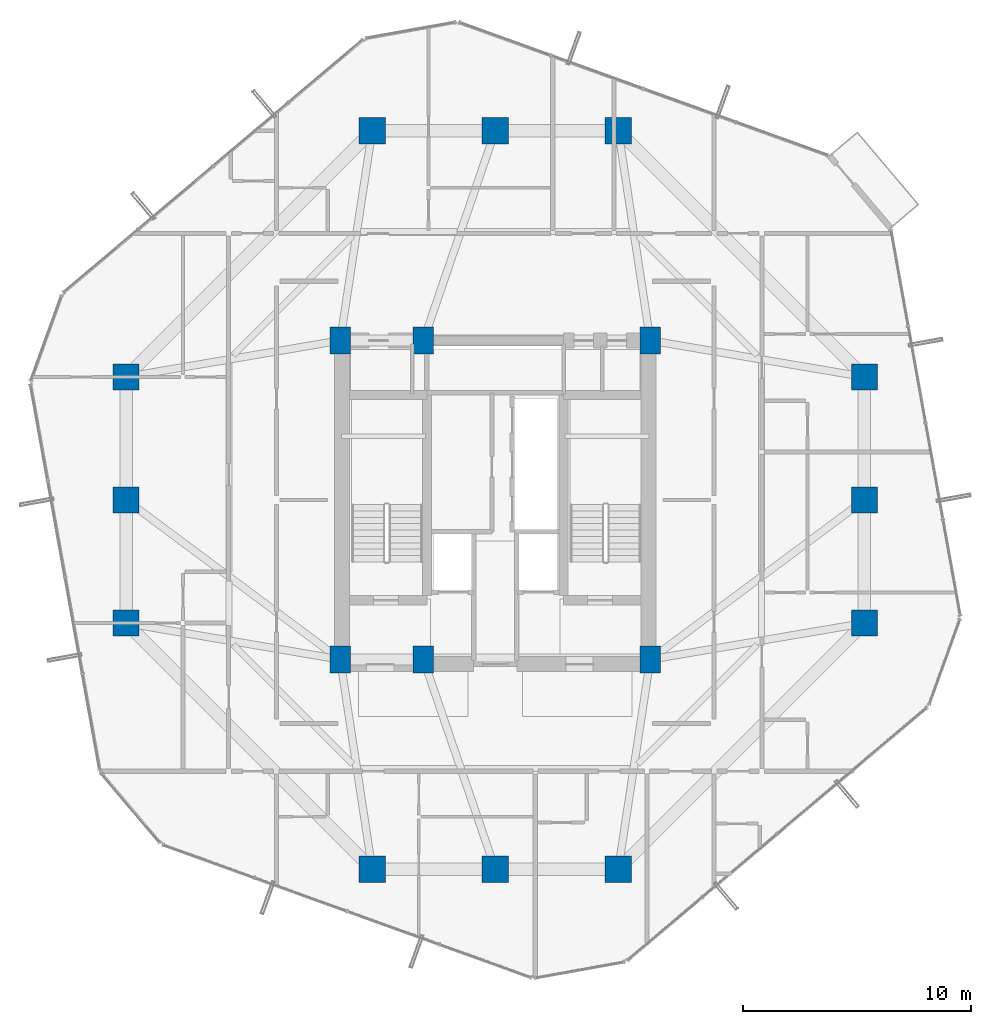
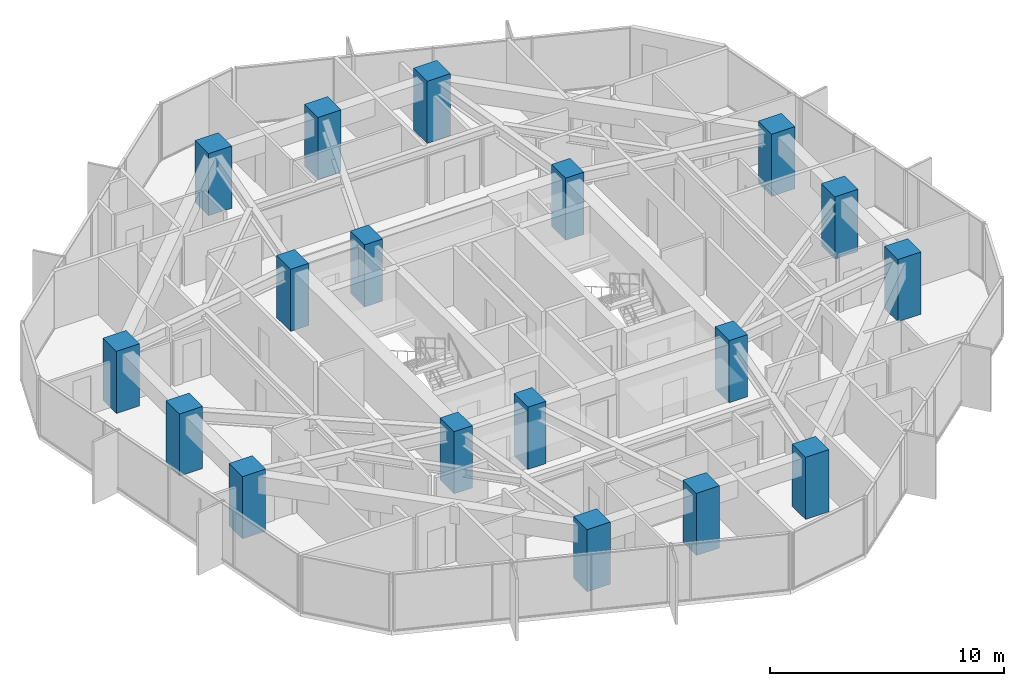
# One storey, part 1 of 36: 18 columns.
"""IFC4 building model written with IfcOpenShell, lengths in metres."""

from ifc_helpers import new_model, si_unit, direction, frame, origin, origin_2d, place, context, subcontext, project, spatial, rectangle, extrude, material, material_profile, profile_set, type_object, element, save


model = new_model("IFC4")

# Units and contexts
model_context = context("Model", 3, precision=1e-05, world=origin(), true_north=direction((0.0, 1.0)))
body_context = subcontext(model_context, "Body", "Model", "MODEL_VIEW")
ifc_project = project(units=[si_unit("LENGTHUNIT", "METRE"), si_unit("AREAUNIT", "SQUARE_METRE"), si_unit("VOLUMEUNIT", "CUBIC_METRE"), si_unit("PLANEANGLEUNIT", "RADIAN"), si_unit("MASSUNIT", "GRAM", prefix="KILO")], contexts=[model_context])

# Site, building, storey
site_placement = place(None, origin())
site = spatial("IfcSite", under=ifc_project, at=site_placement, CompositionType="ELEMENT")
building_placement = place(site_placement, origin())
building = spatial("IfcBuilding", under=site, at=building_placement, Name="Veraguas Prism Commons", CompositionType="ELEMENT")
storey_placement = place(building_placement, frame((0.0, 0.0, 163.050048828125)))
storey = spatial("IfcBuildingStorey", under=building, at=storey_placement, Name="L46", CompositionType="ELEMENT", Elevation=163.050048828125)

# Columns
ifc_material = material(Name="Concrete C60/75", Category="concrete")
ifc_material_profile_1 = material_profile(ifc_material, rectangle(XDim=1.14990234375, YDim=1.14990234375, at=origin_2d()), Name="RC1150X1150")
ifc_profile_set_1 = profile_set([ifc_material_profile_1], Name="Concrete C60/75")
column_type_1 = type_object("IfcColumnType", Name="Column Tube Z2 RC 1150x1150", PredefinedType="COLUMN", material=ifc_profile_set_1)
for number, where, z_axis, x_axis, name in (
    (1, (40.199951171875, 18.60009765625, 0.0), (0.0, 0.0, 1.0), (1.0, 0.0, 0.0), "Tower Perimeter Column L46-TB01"),
    (2, (40.199951171875, 24.0, 0.0), (0.0, 0.0, 1.0), (1.0, 0.0, 0.0), "Tower Perimeter Column L46-TB02"),
    (3, (40.199951171875, 29.39990234375, 0.0), (0.0, 0.0, 1.0), (1.0, 0.0, 0.0), "Tower Perimeter Column L46-TB03"),
    (4, (29.39990234375, 40.199951171875, 0.0), (0.0, 0.0, 1.0), (1.0, 0.0, 0.0), "Tower Perimeter Column L46-TB04"),
    (5, (24.0, 40.199951171875, 0.0), (0.0, 0.0, 1.0), (1.0, 0.0, 0.0), "Tower Perimeter Column L46-TB05"),
    (6, (18.60009765625, 40.199951171875, 0.0), (0.0, 0.0, 1.0), (1.0, 0.0, 0.0), "Tower Perimeter Column L46-TB06"),
    (7, (7.800048828125, 29.39990234375, 0.0), (0.0, 0.0, 1.0), (1.0, 0.0, 0.0), "Tower Perimeter Column L46-TB07"),
    (8, (7.800048828125, 24.0, 0.0), (0.0, 0.0, 1.0), (1.0, 0.0, 0.0), "Tower Perimeter Column L46-TB08"),
    (9, (7.800048828125, 18.60009765625, 0.0), (0.0, 0.0, 1.0), (1.0, 0.0, 0.0), "Tower Perimeter Column L46-TB09"),
    (10, (18.60009765625, 7.800048828125, 0.0), (0.0, 0.0, 1.0), (1.0, 0.0, 0.0), "Tower Perimeter Column L46-TB10"),
    (11, (24.0, 7.800048828125, 0.0), (0.0, 0.0, 1.0), (1.0, 0.0, 0.0), "Tower Perimeter Column L46-TB11"),
    (12, (29.39990234375, 7.800048828125, 0.0), (0.0, 0.0, 1.0), (1.0, 0.0, 0.0), "Tower Perimeter Column L46-TB12"),
):
    element("IfcColumn", number, at=place(storey_placement, frame(where, z_axis=z_axis, x_axis=x_axis)), inside=storey, type_object=column_type_1, Name=name, PredefinedType="COLUMN", context=body_context, shape_type="SweptSolid", body=[
        extrude(rectangle(XDim=1.14990234375, YDim=1.14990234375, at=origin_2d()), origin(), (0.0, 0.0, 1.0), 3.25),
    ])
ifc_material_profile_2 = material_profile(ifc_material, rectangle(XDim=0.89990234375, YDim=1.199951171875, at=origin_2d()), Name="RC900X1200")
ifc_profile_set_2 = profile_set([ifc_material_profile_2], Name="Concrete C60/75")
column_type_2 = type_object("IfcColumnType", Name="Pilaster Core Lower RC 900x1200", PredefinedType="PILASTER", material=ifc_profile_set_2)
for number, where, z_axis, x_axis, name in (
    (13, (17.199951171875, 17.0, 0.0), (0.0, 0.0, 1.0), (1.0, 0.0, 0.0), "Core Pilaster Column L46-CR1"),
    (14, (20.85009765625, 17.0, 0.0), (0.0, 0.0, 1.0), (1.0, 0.0, 0.0), "Core Pilaster Column L46-CR2"),
    (15, (30.800048828125, 17.0, 0.0), (0.0, 0.0, 1.0), (1.0, 0.0, 0.0), "Core Pilaster Column L46-CR3"),
    (16, (17.199951171875, 31.0, 0.0), (0.0, 0.0, 1.0), (1.0, 0.0, 0.0), "Core Pilaster Column L46-CR4"),
    (17, (20.85009765625, 31.0, 0.0), (0.0, 0.0, 1.0), (1.0, 0.0, 0.0), "Core Pilaster Column L46-CR5"),
    (18, (30.800048828125, 31.0, 0.0), (0.0, 0.0, 1.0), (1.0, 0.0, 0.0), "Core Pilaster Column L46-CR6"),
):
    element("IfcColumn", number, at=place(storey_placement, frame(where, z_axis=z_axis, x_axis=x_axis)), inside=storey, type_object=column_type_2, Name=name, PredefinedType="PILASTER", context=body_context, shape_type="SweptSolid", body=[
        extrude(rectangle(XDim=0.89990234375, YDim=1.199951171875, at=origin_2d()), origin(), (0.0, 0.0, 1.0), 3.25),
    ])

save(model, "model.ifc")
